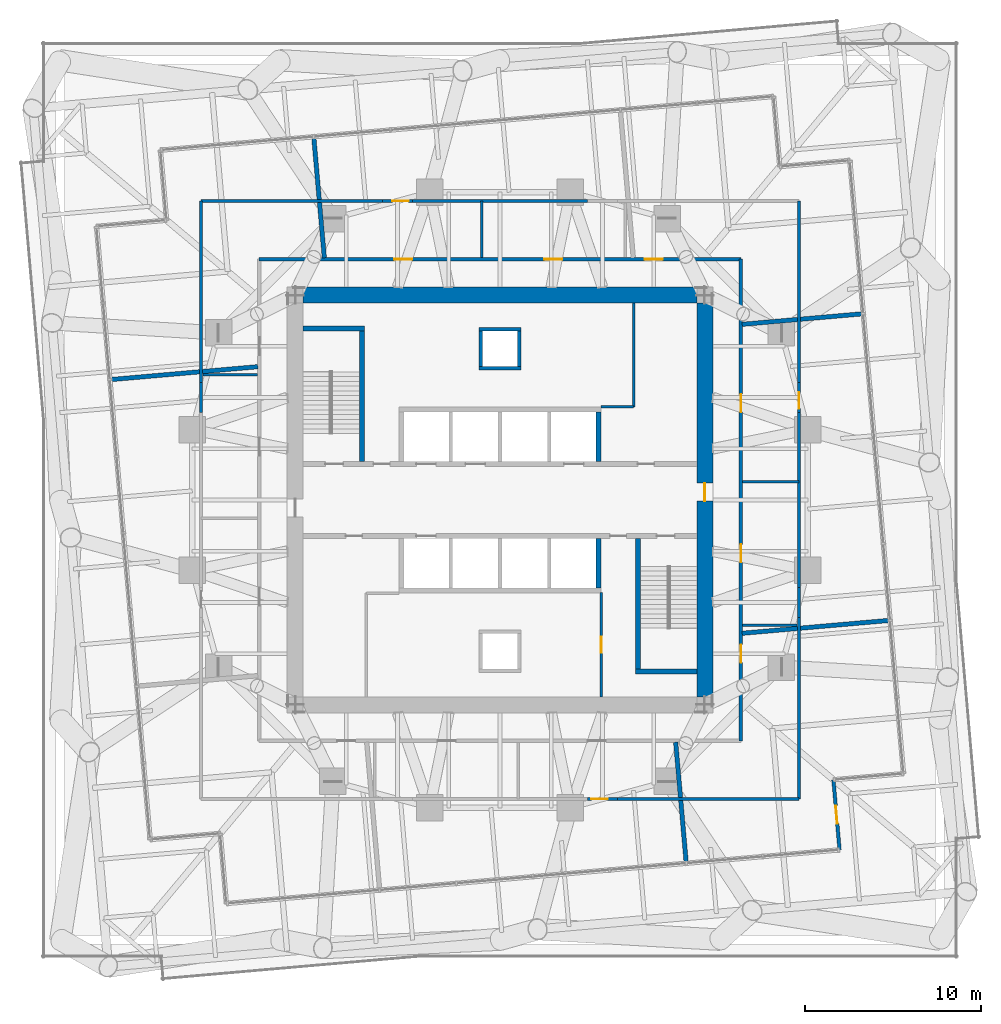
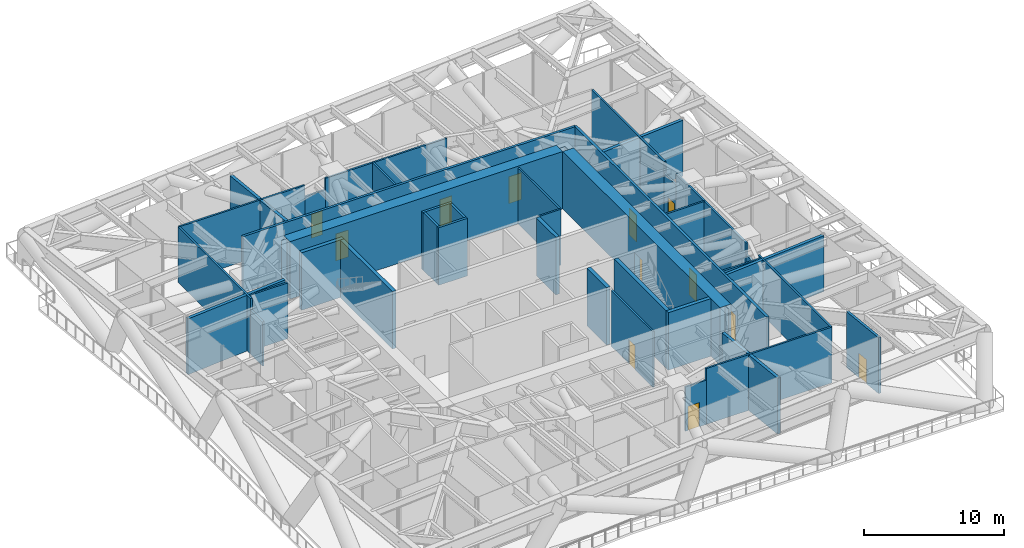
# One storey, part 10 of 14: 39 walls, 12 doors, 12 openings.
"""IFC4 building model written with IfcOpenShell, lengths in metres."""

from ifc_helpers import new_model, si_unit, direction, frame, frame_2d, origin, place, context, subcontext, project, spatial, polyline, rectangle, outline, extrude, material, layer, layer_set, type_object, element, fill, save


model = new_model("IFC4")

# Units and contexts
model_context = context("Model", 3, precision=1e-05, world=origin(), true_north=direction((0.0, 1.0)))
body_context = subcontext(model_context, "Body", "Model", "MODEL_VIEW")
ifc_project = project(units=[si_unit("LENGTHUNIT", "METRE"), si_unit("AREAUNIT", "SQUARE_METRE"), si_unit("VOLUMEUNIT", "CUBIC_METRE"), si_unit("PLANEANGLEUNIT", "RADIAN"), si_unit("MASSUNIT", "GRAM", prefix="KILO")], contexts=[model_context])

# Site, building, storey
site_placement = place(None, origin())
site = spatial("IfcSite", under=ifc_project, at=site_placement, CompositionType="ELEMENT")
building_placement = place(site_placement, origin())
building = spatial("IfcBuilding", under=site, at=building_placement, Name="Torsade Residences", CompositionType="ELEMENT")
storey_placement = place(building_placement, frame((0.0, 0.0, 42.199951171875)))
storey = spatial("IfcBuildingStorey", under=building, at=storey_placement, Name="L11", CompositionType="ELEMENT", Elevation=42.199951171875)

# Walls
ifc_material_1 = material(Name="Concrete 80 MPa", Category="concrete")
ifc_layer_1 = layer(ifc_material_1, 0.300048828125)
ifc_layer_set_1 = layer_set([ifc_layer_1], Name="Concrete 80 MPa")
wall_type_1 = type_object("IfcWallType", Name="CORE INTERNAL WALL 300", PredefinedType="SHEAR", material=ifc_layer_set_1)
for number, where, z_axis, x_axis, name in (
    (1, (45.60009765625, 27.800048828125, 0.0), (0.0, 0.0, 1.0), (0.0, -1.0, 0.0), "Core wall DS0 L11"),
    (2, (45.60009765625, 32.199951171875, 0.0), (0.0, 0.0, 1.0), (0.0, 1.0, 0.0), "Core wall DN4 L11"),
):
    element("IfcWall", number, at=place(storey_placement, frame(where, z_axis=z_axis, x_axis=x_axis)), inside=storey, type_object=wall_type_1, Name=name, PredefinedType="SHEAR", context=body_context, shape_type="SweptSolid", body=[
        extrude(rectangle(XDim=2.800048828125, YDim=0.300048828125, at=frame_2d((1.39990234375, 0.0))), origin(), (0.0, 0.0, 1.0), 5.0),
    ])
wall_1_placement = place(storey_placement, frame((32.14990234375, 32.199951171875, 0.0), z_axis=(0.0, 0.0, 1.0), x_axis=(0.0, 1.0, 0.0)))
element("IfcWall", 3, at=wall_1_placement, inside=storey, type_object=wall_type_1, Name="Core wall ST1E L11", PredefinedType="SHEAR", context=body_context, shape_type="SweptSolid", body=[
    extrude(rectangle(XDim=7.699951171875, YDim=0.300048828125, at=frame_2d((3.85009765625, 0.0))), origin(), (0.0, 0.0, 1.0), 5.0),
])
wall_2_placement = place(storey_placement, frame((28.800048828125, 39.75, 0.0), z_axis=(0.0, 0.0, 1.0), x_axis=(1.0, 0.0, 0.0)))
element("IfcWall", 4, at=wall_2_placement, inside=storey, type_object=wall_type_1, Name="Core wall ST1N L11", PredefinedType="SHEAR", context=body_context, shape_type="SweptSolid", body=[
    extrude(rectangle(XDim=3.5, YDim=0.300048828125, at=frame_2d((1.75, 0.0))), origin(), (0.0, 0.0, 1.0), 5.0),
])
wall_3_placement = place(storey_placement, frame((47.85009765625, 27.800048828125, 0.0), z_axis=(0.0, 0.0, 1.0), x_axis=(0.0, -1.0, 0.0)))
element("IfcWall", 5, at=wall_3_placement, inside=storey, type_object=wall_type_1, Name="Core wall ST2W L11", PredefinedType="SHEAR", context=body_context, shape_type="SweptSolid", body=[
    extrude(rectangle(XDim=7.699951171875, YDim=0.300048828125, at=frame_2d((3.85009765625, 0.0))), origin(), (0.0, 0.0, 1.0), 5.0),
])
wall_4_placement = place(storey_placement, frame((51.199951171875, 20.25, 0.0), z_axis=(0.0, 0.0, 1.0), x_axis=(-1.0, 0.0, 0.0)))
element("IfcWall", 6, at=wall_4_placement, inside=storey, type_object=wall_type_1, Name="Core wall ST2S L11", PredefinedType="SHEAR", context=body_context, shape_type="SweptSolid", body=[
    extrude(rectangle(XDim=3.5, YDim=0.300048828125, at=frame_2d((1.75, 0.0))), origin(), (0.0, 0.0, 1.0), 5.0),
])
ifc_material_2 = material(Name="Concrete 80 MPa", Category="concrete")
ifc_layer_2 = layer(ifc_material_2, 0.89990234375)
ifc_layer_set_2 = layer_set([ifc_layer_2], Name="Concrete 80 MPa")
wall_type_2 = type_object("IfcWallType", Name="CORE WALL 900", PredefinedType="SHEAR", material=ifc_layer_set_2)
wall_5_placement = place(storey_placement, frame((28.800048828125, 41.64990234375, 0.0), z_axis=(0.0, 0.0, 1.0), x_axis=(1.0, 0.0, 0.0)))
element("IfcWall", 7, at=wall_5_placement, inside=storey, type_object=wall_type_2, Name="Core wall N L11", PredefinedType="SHEAR", context=body_context, shape_type="SweptSolid", body=[
    extrude(outline(polyline([(0.0, -0.449951171875), (22.39990234375, -0.449951171875), (22.39990234375, -0.02490234375), (22.849853515625, -0.02490234375), (22.849853515625, 0.02490234375), (22.39990234375, 0.02490234375), (22.39990234375, 0.449951171875), (0.0, 0.449951171875), (0.0, 0.02490234375), (-0.449951171875, 0.02490234375), (-0.449951171875, -0.02490234375), (0.0, -0.02490234375), (0.0, -0.449951171875)])), origin(), (0.0, 0.0, 1.0), 5.0),
])

# Wall, opening, door
wall_6_placement = place(storey_placement, frame((51.64990234375, 18.800048828125, 0.0), z_axis=(0.0, 0.0, 1.0), x_axis=(0.0, 1.0, 0.0)))
wall_6 = element("IfcWall", 8, at=wall_6_placement, inside=storey, type_object=wall_type_2, Name="Core wall E L11", PredefinedType="SHEAR", context=body_context, shape_type="SweptSolid", body=[
    extrude(outline(polyline([(0.0, -0.449951171875), (22.39990234375, -0.449951171875), (22.39990234375, -0.02490234375), (22.849853515625, -0.02490234375), (22.849853515625, 0.02490234375), (22.39990234375, 0.02490234375), (22.39990234375, 0.449951171875), (0.0, 0.449951171875), (0.0, 0.02490234375), (-0.449951171875, 0.02490234375), (-0.449951171875, -0.02490234375), (0.0, -0.02490234375), (0.0, -0.449951171875)])), origin(), (0.0, 0.0, 1.0), 5.0),
])
opening_1_placement = place(wall_6_placement, frame((11.139892578125, 0.0, 0.0)))
opening_1 = element("IfcOpeningElement", 9, at=opening_1_placement, cuts=wall_6, Name="Opening D04", PredefinedType="OPENING", context=body_context, shape_type="SweptSolid", body=[
    extrude(rectangle(XDim=1.02001953125, YDim=2.39990234375, at=frame_2d((0.510009765625, 1.199951171875))), frame((0.0, 0.4599609375, 0.0), z_axis=(0.0, -1.0, 0.0), x_axis=(1.0, 0.0, 0.0)), (0.0, 0.0, 1.0), 0.919921875),
])
ifc_material_3 = material(Name="Steel-framed fire door", Category="steel")
door_type_1 = type_object("IfcDoorType", Name="LOBBY SMOKE DOOR 1020x2400", OperationType="NOTDEFINED", PredefinedType="DOOR", material=ifc_material_3)
door_1_placement = place(opening_1_placement, origin())
door_1 = element("IfcDoor", 10, at=door_1_placement, inside=storey, type_object=door_type_1, Name="Lift lobby door E L11", OperationType="SINGLE_SWING_LEFT", OverallHeight=2.39990234375, OverallWidth=1.02001953125, PredefinedType="DOOR", context=body_context, shape_type="SweptSolid", body=[
    extrude(rectangle(XDim=1.02001953125, YDim=2.39990234375, at=frame_2d((0.510009765625, 1.199951171875))), frame((0.0, 0.02490234375, 0.0), z_axis=(0.0, -1.0, 0.0), x_axis=(1.0, 0.0, 0.0)), (0.0, 0.0, 1.0), 0.050048828125),
])
fill(opening_1, door_1)

# Wall, openings, doors
ifc_material_4 = material(Name="Plasterboard on steel stud", Category="steel")
ifc_layer_3 = layer(ifc_material_4, 0.199951171875)
ifc_layer_set_3 = layer_set([ifc_layer_3], Name="Plasterboard on steel stud")
wall_type_3 = type_object("IfcWallType", Name="CORRIDOR WALL 200", PredefinedType="PARTITIONING", material=ifc_layer_set_3)
wall_7_placement = place(storey_placement, frame((53.699951171875, 16.300048828125, 0.0), z_axis=(0.0, 0.0, 1.0), x_axis=(0.0, 1.0, 0.0)))
wall_7 = element("IfcWall", 11, at=wall_7_placement, inside=storey, type_object=wall_type_3, Name="Corridor wall L11", PredefinedType="PARTITIONING", context=body_context, shape_type="SweptSolid", body=[
    extrude(rectangle(XDim=27.39990234375, YDim=0.199951171875, at=frame_2d((13.699951171875, 0.0))), origin(), (0.0, 0.0, 1.0), 4.85009765625),
])
opening_2_placement = place(wall_7_placement, frame((18.69775390625, 0.0, 0.0)))
opening_2 = element("IfcOpeningElement", 12, at=opening_2_placement, cuts=wall_7, Name="Opening D01", PredefinedType="OPENING", context=body_context, shape_type="SweptSolid", body=[
    extrude(rectangle(XDim=1.02001953125, YDim=2.340087890625, at=frame_2d((0.510009765625, 1.169921875))), frame((0.0, 0.10986328125, 0.0), z_axis=(0.0, -1.0, 0.0), x_axis=(1.0, 0.0, 0.0)), (0.0, 0.0, 1.0), 0.219970703125),
])
opening_3_placement = place(wall_7_placement, frame((10.1533203125, 0.0, 0.0)))
opening_3 = element("IfcOpeningElement", 13, at=opening_3_placement, cuts=wall_7, Name="Opening D01", PredefinedType="OPENING", context=body_context, shape_type="SweptSolid", body=[
    extrude(rectangle(XDim=1.02001953125, YDim=2.340087890625, at=frame_2d((0.510009765625, 1.169921875))), frame((0.0, 0.10986328125, 0.0), z_axis=(0.0, -1.0, 0.0), x_axis=(1.0, 0.0, 0.0)), (0.0, 0.0, 1.0), 0.219970703125),
])
opening_4_placement = place(wall_7_placement, frame((4.457763671875, 0.0, 0.0)))
opening_4 = element("IfcOpeningElement", 14, at=opening_4_placement, cuts=wall_7, Name="Opening D01", PredefinedType="OPENING", context=body_context, shape_type="SweptSolid", body=[
    extrude(rectangle(XDim=1.02001953125, YDim=2.340087890625, at=frame_2d((0.510009765625, 1.169921875))), frame((0.0, 0.10986328125, 0.0), z_axis=(0.0, -1.0, 0.0), x_axis=(1.0, 0.0, 0.0)), (0.0, 0.0, 1.0), 0.219970703125),
])
ifc_material_5 = material(Name="Solid-core timber fire door", Category="wood")
door_type_2 = type_object("IfcDoorType", Name="APARTMENT ENTRY DOOR 1020x2340", OperationType="NOTDEFINED", PredefinedType="DOOR", material=ifc_material_5)
door_2_placement = place(opening_2_placement, origin())
door_2 = element("IfcDoor", 15, at=door_2_placement, inside=storey, type_object=door_type_2, Name="Door Plant corridor to Pump room", OperationType="SINGLE_SWING_LEFT", OverallHeight=2.340087890625, OverallWidth=1.02001953125, PredefinedType="DOOR", context=body_context, shape_type="SweptSolid", body=[
    extrude(rectangle(XDim=1.02001953125, YDim=2.340087890625, at=frame_2d((0.510009765625, 1.169921875))), frame((0.0, 0.02490234375, 0.0), z_axis=(0.0, -1.0, 0.0), x_axis=(1.0, 0.0, 0.0)), (0.0, 0.0, 1.0), 0.050048828125),
])
fill(opening_2, door_2)
door_3_placement = place(opening_3_placement, origin())
door_3 = element("IfcDoor", 16, at=door_3_placement, inside=storey, type_object=door_type_2, Name="Door Plant corridor to Plant cupboard", OperationType="SINGLE_SWING_LEFT", OverallHeight=2.340087890625, OverallWidth=1.02001953125, PredefinedType="DOOR", context=body_context, shape_type="SweptSolid", body=[
    extrude(rectangle(XDim=1.02001953125, YDim=2.340087890625, at=frame_2d((0.510009765625, 1.169921875))), frame((0.0, 0.02490234375, 0.0), z_axis=(0.0, -1.0, 0.0), x_axis=(1.0, 0.0, 0.0)), (0.0, 0.0, 1.0), 0.050048828125),
])
fill(opening_3, door_3)
door_4_placement = place(opening_4_placement, origin())
door_4 = element("IfcDoor", 17, at=door_4_placement, inside=storey, type_object=door_type_2, Name="Door Plant corridor to Service lobby", OperationType="SINGLE_SWING_RIGHT", OverallHeight=2.340087890625, OverallWidth=1.02001953125, PredefinedType="DOOR", context=body_context, shape_type="SweptSolid", body=[
    extrude(rectangle(XDim=1.02001953125, YDim=2.340087890625, at=frame_2d((0.510009765625, 1.169921875))), frame((0.0, 0.02490234375, 0.0), z_axis=(0.0, -1.0, 0.0), x_axis=(1.0, 0.0, 0.0)), (0.0, 0.0, 1.0), 0.050048828125),
])
fill(opening_4, door_4)

wall_8_placement = place(storey_placement, frame((53.699951171875, 43.699951171875, 0.0), z_axis=(0.0, 0.0, 1.0), x_axis=(-1.0, 0.0, 0.0)))
wall_8 = element("IfcWall", 18, at=wall_8_placement, inside=storey, type_object=wall_type_3, Name="Corridor wall L11", PredefinedType="PARTITIONING", context=body_context, shape_type="SweptSolid", body=[
    extrude(rectangle(XDim=27.39990234375, YDim=0.199951171875, at=frame_2d((13.699951171875, 0.0))), origin(), (0.0, 0.0, 1.0), 4.85009765625),
])
opening_5_placement = place(wall_8_placement, frame((18.69775390625, 0.0, 0.0)))
opening_5 = element("IfcOpeningElement", 19, at=opening_5_placement, cuts=wall_8, Name="Opening D01", PredefinedType="OPENING", context=body_context, shape_type="SweptSolid", body=[
    extrude(rectangle(XDim=1.02001953125, YDim=2.340087890625, at=frame_2d((0.510009765625, 1.169921875))), frame((0.0, 0.10986328125, 0.0), z_axis=(0.0, -1.0, 0.0), x_axis=(1.0, 0.0, 0.0)), (0.0, 0.0, 1.0), 0.219970703125),
])
opening_6_placement = place(wall_8_placement, frame((10.1533203125, 0.0, 0.0)))
opening_6 = element("IfcOpeningElement", 20, at=opening_6_placement, cuts=wall_8, Name="Opening D01", PredefinedType="OPENING", context=body_context, shape_type="SweptSolid", body=[
    extrude(rectangle(XDim=1.02001953125, YDim=2.340087890625, at=frame_2d((0.510009765625, 1.169921875))), frame((0.0, 0.10986328125, 0.0), z_axis=(0.0, -1.0, 0.0), x_axis=(1.0, 0.0, 0.0)), (0.0, 0.0, 1.0), 0.219970703125),
])
opening_7_placement = place(wall_8_placement, frame((4.457763671875, 0.0, 0.0)))
opening_7 = element("IfcOpeningElement", 21, at=opening_7_placement, cuts=wall_8, Name="Opening D01", PredefinedType="OPENING", context=body_context, shape_type="SweptSolid", body=[
    extrude(rectangle(XDim=1.02001953125, YDim=2.340087890625, at=frame_2d((0.510009765625, 1.169921875))), frame((0.0, 0.10986328125, 0.0), z_axis=(0.0, -1.0, 0.0), x_axis=(1.0, 0.0, 0.0)), (0.0, 0.0, 1.0), 0.219970703125),
])
door_5_placement = place(opening_5_placement, origin())
door_5 = element("IfcDoor", 22, at=door_5_placement, inside=storey, type_object=door_type_2, Name="Door Plant corridor to Pump room", OperationType="SINGLE_SWING_LEFT", OverallHeight=2.340087890625, OverallWidth=1.02001953125, PredefinedType="DOOR", context=body_context, shape_type="SweptSolid", body=[
    extrude(rectangle(XDim=1.02001953125, YDim=2.340087890625, at=frame_2d((0.510009765625, 1.169921875))), frame((0.0, 0.02490234375, 0.0), z_axis=(0.0, -1.0, 0.0), x_axis=(1.0, 0.0, 0.0)), (0.0, 0.0, 1.0), 0.050048828125),
])
fill(opening_5, door_5)
door_6_placement = place(opening_6_placement, origin())
door_6 = element("IfcDoor", 23, at=door_6_placement, inside=storey, type_object=door_type_2, Name="Door Plant corridor to Plant cupboard", OperationType="SINGLE_SWING_LEFT", OverallHeight=2.340087890625, OverallWidth=1.02001953125, PredefinedType="DOOR", context=body_context, shape_type="SweptSolid", body=[
    extrude(rectangle(XDim=1.02001953125, YDim=2.340087890625, at=frame_2d((0.510009765625, 1.169921875))), frame((0.0, 0.02490234375, 0.0), z_axis=(0.0, -1.0, 0.0), x_axis=(1.0, 0.0, 0.0)), (0.0, 0.0, 1.0), 0.050048828125),
])
fill(opening_6, door_6)
door_7_placement = place(opening_7_placement, origin())
door_7 = element("IfcDoor", 24, at=door_7_placement, inside=storey, type_object=door_type_2, Name="Door Plant corridor to Service lobby", OperationType="SINGLE_SWING_LEFT", OverallHeight=2.340087890625, OverallWidth=1.02001953125, PredefinedType="DOOR", context=body_context, shape_type="SweptSolid", body=[
    extrude(rectangle(XDim=1.02001953125, YDim=2.340087890625, at=frame_2d((0.510009765625, 1.169921875))), frame((0.0, 0.02490234375, 0.0), z_axis=(0.0, -1.0, 0.0), x_axis=(1.0, 0.0, 0.0)), (0.0, 0.0, 1.0), 0.050048828125),
])
fill(opening_7, door_7)

# Walls
ifc_material_6 = material(Name="Masonry-lined stud party wall", Category="masonry")
ifc_layer_4 = layer(ifc_material_6, 0.25)
ifc_layer_set_4 = layer_set([ifc_layer_4], Name="Masonry-lined stud party wall")
wall_type_4 = type_object("IfcWallType", Name="PARTY WALL 250", PredefinedType="PARTITIONING", material=ifc_layer_set_4)
wall_9_placement = place(storey_placement, frame((50.590576171875, 9.344482421875, 0.0), z_axis=(0.0, 0.0, 1.0), x_axis=(-0.087152488477, 0.996194982798, 0.0)))
element("IfcWall", 25, at=wall_9_placement, inside=storey, type_object=wall_type_4, Name="Party wall L11", PredefinedType="PARTITIONING", context=body_context, shape_type="SweptSolid", body=[
    extrude(rectangle(XDim=6.910888671875, YDim=0.25, at=frame_2d((3.45556640625, 0.0))), origin(), (0.0, 0.0, 1.0), 4.85009765625),
])
wall_10_placement = place(storey_placement, frame((62.180908203125, 23.1572265625, 0.0), z_axis=(0.0, 0.0, 1.0), x_axis=(-0.996194000005, -0.087163721544, 0.0)))
element("IfcWall", 26, at=wall_10_placement, inside=storey, type_object=wall_type_4, Name="Party wall L11", PredefinedType="PARTITIONING", context=body_context, shape_type="SweptSolid", body=[
    extrude(rectangle(XDim=8.442138671875, YDim=0.25, at=frame_2d((4.22119140625, 0.0))), origin(), (0.0, 0.0, 1.0), 4.85009765625),
])
for number, where, z_axis, x_axis, name in (
    (27, (60.655517578125, 40.590576171875, 0.0), (0.0, 0.0, 1.0), (-0.996194982798, -0.087152488477, 0.0), "Party wall L11"),
    (28, (29.409423828125, 50.655517578125, 0.0), (0.0, 0.0, 1.0), (0.087152488477, -0.996194982798, 0.0), "Party wall L11"),
):
    element("IfcWall", number, at=place(storey_placement, frame(where, z_axis=z_axis, x_axis=x_axis)), inside=storey, type_object=wall_type_4, Name=name, PredefinedType="PARTITIONING", context=body_context, shape_type="SweptSolid", body=[
        extrude(rectangle(XDim=6.910888671875, YDim=0.25, at=frame_2d((3.45556640625, 0.0))), origin(), (0.0, 0.0, 1.0), 4.85009765625),
    ])
wall_11_placement = place(storey_placement, frame((17.819091796875, 36.8427734375, 0.0), z_axis=(0.0, 0.0, 1.0), x_axis=(0.996194000005, 0.087163721544, 0.0)))
element("IfcWall", 29, at=wall_11_placement, inside=storey, type_object=wall_type_4, Name="Party wall L11", PredefinedType="PARTITIONING", context=body_context, shape_type="SweptSolid", body=[
    extrude(rectangle(XDim=8.442138671875, YDim=0.25, at=frame_2d((4.22119140625, 0.0))), origin(), (0.0, 0.0, 1.0), 4.85009765625),
])

# Wall, opening, door
ifc_material_7 = material(Name="Stone-faced precast concrete 40 MPa panel", Category="masonry")
ifc_layer_5 = layer(ifc_material_7, 0.199951171875)
ifc_layer_set_5 = layer_set([ifc_layer_5], Name="Stone-faced precast concrete 40 MPa panel")
wall_type_5 = type_object("IfcWallType", Name="PLANT ROOM EXTERNAL WALL 200", PredefinedType="SOLIDWALL", material=ifc_layer_set_5)
wall_12_placement = place(storey_placement, frame((59.307373046875, 10.10693359375, 0.0), z_axis=(0.0, 0.0, 1.0), x_axis=(-0.087156350505, 0.99619464492, 0.0)))
wall_12 = element("IfcWall", 30, at=wall_12_placement, inside=storey, type_object=wall_type_5, Name="Plant room wall L11 2", PredefinedType="SOLIDWALL", context=body_context, shape_type="SweptSolid", body=[
    extrude(rectangle(XDim=4.0, YDim=0.199951171875, at=frame_2d((2.0, 0.0))), origin(), (0.0, 0.0, 1.0), 4.85009765625),
])
opening_8_placement = place(wall_12_placement, frame((1.489990234375, 0.0, 0.0)))
opening_8 = element("IfcOpeningElement", 31, at=opening_8_placement, cuts=wall_12, Name="Opening D11", PredefinedType="OPENING", context=body_context, shape_type="SweptSolid", body=[
    extrude(rectangle(XDim=1.02001953125, YDim=2.10009765625, at=frame_2d((0.510009765625, 1.050048828125))), frame((0.0, 0.10986328125, 0.0), z_axis=(0.0, -1.0, 0.0), x_axis=(1.0, 0.0, 0.0)), (0.0, 0.0, 1.0), 0.219970703125),
])
ifc_material_8 = material(Name="Steel-framed external door", Category="steel")
door_type_3 = type_object("IfcDoorType", Name="MAINTENANCE ROOF DOOR 1020", OperationType="NOTDEFINED", PredefinedType="DOOR", material=ifc_material_8)
door_8_placement = place(opening_8_placement, origin())
door_8 = element("IfcDoor", 32, at=door_8_placement, inside=storey, type_object=door_type_3, Name="Maintenance roof door L11", OperationType="SINGLE_SWING_RIGHT", OverallHeight=2.10009765625, OverallWidth=1.02001953125, PredefinedType="DOOR", context=body_context, shape_type="SweptSolid", body=[
    extrude(rectangle(XDim=1.02001953125, YDim=2.10009765625, at=frame_2d((0.510009765625, 1.050048828125))), frame((0.0, 0.02490234375, 0.0), z_axis=(0.0, -1.0, 0.0), x_axis=(1.0, 0.0, 0.0)), (0.0, 0.0, 1.0), 0.050048828125),
])
fill(opening_8, door_8)

# Walls
ifc_material_9 = material(Name="Reinforced blockwork", Category="masonry")
ifc_layer_6 = layer(ifc_material_9, 0.199951171875)
ifc_layer_set_6 = layer_set([ifc_layer_6], Name="Reinforced blockwork")
wall_type_6 = type_object("IfcWallType", Name="RISER SHAFT WALL 200", PredefinedType="SOLIDWALL", material=ifc_layer_set_6)
for number, where, z_axis, x_axis, name in (
    (33, (38.89990234375, 37.60009765625, 0.0), (0.0, 0.0, 1.0), (0.0, 1.0, 0.0), "Core wall RS1a L11"),
    (34, (41.10009765625, 37.60009765625, 0.0), (0.0, 0.0, 1.0), (0.0, 1.0, 0.0), "Core wall RS1b L11"),
):
    element("IfcWall", number, at=place(storey_placement, frame(where, z_axis=z_axis, x_axis=x_axis)), inside=storey, type_object=wall_type_6, Name=name, PredefinedType="SOLIDWALL", context=body_context, shape_type="SweptSolid", body=[
        extrude(rectangle(XDim=2.0, YDim=0.199951171875, at=frame_2d((1.0, 0.0))), origin(), (0.0, 0.0, 1.0), 5.0),
    ])
for number, where, z_axis, x_axis, name in (
    (35, (38.800048828125, 37.5, 0.0), (0.0, 0.0, 1.0), (1.0, 0.0, 0.0), "Core wall RS1c L11"),
    (36, (38.800048828125, 39.699951171875, 0.0), (0.0, 0.0, 1.0), (1.0, 0.0, 0.0), "Core wall RS1d L11"),
):
    element("IfcWall", number, at=place(storey_placement, frame(where, z_axis=z_axis, x_axis=x_axis)), inside=storey, type_object=wall_type_6, Name=name, PredefinedType="SOLIDWALL", context=body_context, shape_type="SweptSolid", body=[
        extrude(rectangle(XDim=2.39990234375, YDim=0.199951171875, at=frame_2d((1.199951171875, 0.0))), origin(), (0.0, 0.0, 1.0), 5.0),
    ])
ifc_material_10 = material(Name="Reinforced blockwork", Category="masonry")
ifc_layer_7 = layer(ifc_material_10, 0.14990234375)
ifc_layer_set_7 = layer_set([ifc_layer_7], Name="Reinforced blockwork")
wall_type_7 = type_object("IfcWallType", Name="SERVICE ROOM WALL 150", PredefinedType="SOLIDWALL", material=ifc_layer_set_7)
wall_13_placement = place(storey_placement, frame((47.60009765625, 41.199951171875, 0.0), z_axis=(0.0, 0.0, 1.0), x_axis=(0.0, -1.0, 0.0)))
element("IfcWall", 37, at=wall_13_placement, inside=storey, type_object=wall_type_7, Name="Service room wall L11", PredefinedType="SOLIDWALL", context=body_context, shape_type="SweptSolid", body=[
    extrude(rectangle(XDim=5.89990234375, YDim=0.14990234375, at=frame_2d((2.949951171875, 0.0))), origin(), (0.0, 0.0, 1.0), 4.85009765625),
])
wall_14_placement = place(storey_placement, frame((47.60009765625, 35.300048828125, 0.0), z_axis=(0.0, 0.0, 1.0), x_axis=(-1.0, 0.0, 0.0)))
element("IfcWall", 38, at=wall_14_placement, inside=storey, type_object=wall_type_7, Name="Service room wall L11", PredefinedType="SOLIDWALL", context=body_context, shape_type="SweptSolid", body=[
    extrude(rectangle(XDim=1.85009765625, YDim=0.14990234375, at=frame_2d((0.925048828125, 0.0))), origin(), (0.0, 0.0, 1.0), 4.85009765625),
])

# Wall, opening, door
wall_15_placement = place(storey_placement, frame((45.75, 18.800048828125, 0.0), z_axis=(0.0, 0.0, 1.0), x_axis=(0.0, 1.0, 0.0)))
wall_15 = element("IfcWall", 39, at=wall_15_placement, inside=storey, type_object=wall_type_7, Name="Service room wall L11", PredefinedType="SOLIDWALL", context=body_context, shape_type="SweptSolid", body=[
    extrude(rectangle(XDim=5.949951171875, YDim=0.14990234375, at=frame_2d((2.97509765625, 0.0))), origin(), (0.0, 0.0, 1.0), 4.85009765625),
])
opening_9_placement = place(wall_15_placement, frame((2.514892578125, 0.0, 0.0)))
opening_9 = element("IfcOpeningElement", 40, at=opening_9_placement, cuts=wall_15, Name="Opening D06", PredefinedType="OPENING", context=body_context, shape_type="SweptSolid", body=[
    extrude(rectangle(XDim=0.919921875, YDim=2.10009765625, at=frame_2d((0.4599609375, 1.050048828125))), frame((0.0, 0.0849609375, 0.0), z_axis=(0.0, -1.0, 0.0), x_axis=(1.0, 0.0, 0.0)), (0.0, 0.0, 1.0), 0.169921875),
])
ifc_material_11 = material(Name="Steel-framed fire door", Category="steel")
door_type_4 = type_object("IfcDoorType", Name="FIRE DOOR 920", OperationType="NOTDEFINED", PredefinedType="DOOR", material=ifc_material_11)
door_9_placement = place(opening_9_placement, origin())
door_9 = element("IfcDoor", 41, at=door_9_placement, inside=storey, type_object=door_type_4, Name="Door Security and data store to Communications riser room", OperationType="SINGLE_SWING_LEFT", OverallHeight=2.10009765625, OverallWidth=0.919921875, PredefinedType="DOOR", context=body_context, shape_type="SweptSolid", body=[
    extrude(rectangle(XDim=0.919921875, YDim=2.10009765625, at=frame_2d((0.4599609375, 1.050048828125))), frame((0.0, 0.02490234375, 0.0), z_axis=(0.0, -1.0, 0.0), x_axis=(1.0, 0.0, 0.0)), (0.0, 0.0, 1.0), 0.050048828125),
])
fill(opening_9, door_9)

# Wall
wall_16_placement = place(storey_placement, frame((57.0, 13.0, 0.0), z_axis=(0.0, 0.0, 1.0), x_axis=(-1.0, 0.0, 0.0)))
element("IfcWall", 42, at=wall_16_placement, inside=storey, type_object=wall_type_7, Name="Service room wall L11", PredefinedType="SOLIDWALL", context=body_context, shape_type="SweptSolid", body=[
    extrude(rectangle(XDim=10.321533203125, YDim=0.14990234375, at=frame_2d((5.16064453125, 0.0))), origin(), (0.0, 0.0, 1.0), 4.85009765625),
])

# Wall, opening, door
wall_17_placement = place(storey_placement, frame((46.678466796875, 13.0, 0.0), z_axis=(0.0, 0.0, 1.0), x_axis=(-1.0, 0.0, 0.0)))
wall_17 = element("IfcWall", 43, at=wall_17_placement, inside=storey, type_object=wall_type_7, Name="Service room wall L11", PredefinedType="SOLIDWALL", context=body_context, shape_type="SweptSolid", body=[
    extrude(rectangle(XDim=1.690185546875, YDim=0.14990234375, at=frame_2d((0.84521484375, 0.0))), origin(), (0.0, 0.0, 1.0), 3.85009765625),
])
opening_10_placement = place(wall_17_placement, frame((0.5625, 0.0, 0.0)))
opening_10 = element("IfcOpeningElement", 44, at=opening_10_placement, cuts=wall_17, Name="Opening D06", PredefinedType="OPENING", context=body_context, shape_type="SweptSolid", body=[
    extrude(rectangle(XDim=0.919921875, YDim=2.10009765625, at=frame_2d((0.4599609375, 1.050048828125))), frame((0.0, 0.0849609375, 0.0), z_axis=(0.0, -1.0, 0.0), x_axis=(1.0, 0.0, 0.0)), (0.0, 0.0, 1.0), 0.169921875),
])
door_10_placement = place(opening_10_placement, origin())
door_10 = element("IfcDoor", 45, at=door_10_placement, inside=storey, type_object=door_type_4, Name="Door Pump room to Hot water plant room", OperationType="SINGLE_SWING_RIGHT", OverallHeight=2.10009765625, OverallWidth=0.919921875, PredefinedType="DOOR", context=body_context, shape_type="SweptSolid", body=[
    extrude(rectangle(XDim=0.919921875, YDim=2.10009765625, at=frame_2d((0.4599609375, 1.050048828125))), frame((0.0, 0.02490234375, 0.0), z_axis=(0.0, -1.0, 0.0), x_axis=(1.0, 0.0, 0.0)), (0.0, 0.0, 1.0), 0.050048828125),
])
fill(opening_10, door_10)

# Walls
wall_18_placement = place(storey_placement, frame((23.0, 34.98828125, 0.0), z_axis=(0.0, 0.0, 1.0), x_axis=(0.0, 1.0, 0.0)))
element("IfcWall", 46, at=wall_18_placement, inside=storey, type_object=wall_type_7, Name="Service room wall L11", PredefinedType="SOLIDWALL", context=body_context, shape_type="SweptSolid", body=[
    extrude(rectangle(XDim=1.690185546875, YDim=0.14990234375, at=frame_2d((0.84521484375, 0.0))), origin(), (0.0, 0.0, 1.0), 3.85009765625),
])
wall_19_placement = place(storey_placement, frame((23.0, 36.678466796875, 0.0), z_axis=(0.0, 0.0, 1.0), x_axis=(0.0, 1.0, 0.0)))
element("IfcWall", 47, at=wall_19_placement, inside=storey, type_object=wall_type_7, Name="Service room wall L11", PredefinedType="SOLIDWALL", context=body_context, shape_type="SweptSolid", body=[
    extrude(rectangle(XDim=10.321533203125, YDim=0.14990234375, at=frame_2d((5.16064453125, 0.0))), origin(), (0.0, 0.0, 1.0), 4.85009765625),
])
wall_20_placement = place(storey_placement, frame((53.800048828125, 22.885498046875, 0.0), z_axis=(0.0, 0.0, 1.0), x_axis=(1.0, 0.0, 0.0)))
element("IfcWall", 48, at=wall_20_placement, inside=storey, type_object=wall_type_7, Name="Service room wall L11", PredefinedType="SOLIDWALL", context=body_context, shape_type="SweptSolid", body=[
    extrude(rectangle(XDim=3.095947265625, YDim=0.14990234375, at=frame_2d((1.5478515625, 0.0))), origin(), (0.0, 0.0, 1.0), 4.85009765625),
])
wall_21_placement = place(storey_placement, frame((57.0, 47.0, 0.0), z_axis=(0.0, 0.0, 1.0), x_axis=(0.0, -1.0, 0.0)))
element("IfcWall", 49, at=wall_21_placement, inside=storey, type_object=wall_type_7, Name="Service room wall L11", PredefinedType="SOLIDWALL", context=body_context, shape_type="SweptSolid", body=[
    extrude(rectangle(XDim=10.321533203125, YDim=0.14990234375, at=frame_2d((5.16064453125, 0.0))), origin(), (0.0, 0.0, 1.0), 4.85009765625),
])

# Wall, opening, door
wall_22_placement = place(storey_placement, frame((57.0, 36.678466796875, 0.0), z_axis=(0.0, 0.0, 1.0), x_axis=(0.0, -1.0, 0.0)))
wall_22 = element("IfcWall", 50, at=wall_22_placement, inside=storey, type_object=wall_type_7, Name="Service room wall L11", PredefinedType="SOLIDWALL", context=body_context, shape_type="SweptSolid", body=[
    extrude(rectangle(XDim=1.690185546875, YDim=0.14990234375, at=frame_2d((0.84521484375, 0.0))), origin(), (0.0, 0.0, 1.0), 3.85009765625),
])
opening_11_placement = place(wall_22_placement, frame((0.5625, 0.0, 0.0)))
opening_11 = element("IfcOpeningElement", 51, at=opening_11_placement, cuts=wall_22, Name="Opening D06", PredefinedType="OPENING", context=body_context, shape_type="SweptSolid", body=[
    extrude(rectangle(XDim=0.919921875, YDim=2.10009765625, at=frame_2d((0.4599609375, 1.050048828125))), frame((0.0, 0.0849609375, 0.0), z_axis=(0.0, -1.0, 0.0), x_axis=(1.0, 0.0, 0.0)), (0.0, 0.0, 1.0), 0.169921875),
])
door_11_placement = place(opening_11_placement, origin())
door_11 = element("IfcDoor", 52, at=door_11_placement, inside=storey, type_object=door_type_4, Name="Door Pump room to Mechanical plant room", OperationType="SINGLE_SWING_RIGHT", OverallHeight=2.10009765625, OverallWidth=0.919921875, PredefinedType="DOOR", context=body_context, shape_type="SweptSolid", body=[
    extrude(rectangle(XDim=0.919921875, YDim=2.10009765625, at=frame_2d((0.4599609375, 1.050048828125))), frame((0.0, 0.02490234375, 0.0), z_axis=(0.0, -1.0, 0.0), x_axis=(1.0, 0.0, 0.0)), (0.0, 0.0, 1.0), 0.050048828125),
])
fill(opening_11, door_11)

# Walls
wall_23_placement = place(storey_placement, frame((57.0, 34.98828125, 0.0), z_axis=(0.0, 0.0, 1.0), x_axis=(0.0, -1.0, 0.0)))
element("IfcWall", 53, at=wall_23_placement, inside=storey, type_object=wall_type_7, Name="Service room wall L11", PredefinedType="SOLIDWALL", context=body_context, shape_type="SweptSolid", body=[
    extrude(rectangle(XDim=9.9765625, YDim=0.14990234375, at=frame_2d((4.98828125, 0.0))), origin(), (0.0, 0.0, 1.0), 4.85009765625),
])
wall_24_placement = place(storey_placement, frame((57.0, 25.01171875, 0.0), z_axis=(0.0, 0.0, 1.0), x_axis=(0.0, -1.0, 0.0)))
element("IfcWall", 54, at=wall_24_placement, inside=storey, type_object=wall_type_7, Name="Service room wall L11", PredefinedType="SOLIDWALL", context=body_context, shape_type="SweptSolid", body=[
    extrude(rectangle(XDim=1.690185546875, YDim=0.14990234375, at=frame_2d((0.84521484375, 0.0))), origin(), (0.0, 0.0, 1.0), 3.85009765625),
])
wall_25_placement = place(storey_placement, frame((57.0, 23.321533203125, 0.0), z_axis=(0.0, 0.0, 1.0), x_axis=(0.0, -1.0, 0.0)))
element("IfcWall", 55, at=wall_25_placement, inside=storey, type_object=wall_type_7, Name="Service room wall L11", PredefinedType="SOLIDWALL", context=body_context, shape_type="SweptSolid", body=[
    extrude(rectangle(XDim=10.321533203125, YDim=0.14990234375, at=frame_2d((5.16064453125, 0.0))), origin(), (0.0, 0.0, 1.0), 4.85009765625),
])
wall_26_placement = place(storey_placement, frame((57.0, 31.041259765625, 0.0), z_axis=(0.0, 0.0, 1.0), x_axis=(-1.0, 0.0, 0.0)))
element("IfcWall", 56, at=wall_26_placement, inside=storey, type_object=wall_type_7, Name="Service room wall L11", PredefinedType="SOLIDWALL", context=body_context, shape_type="SweptSolid", body=[
    extrude(rectangle(XDim=3.199951171875, YDim=0.14990234375, at=frame_2d((1.60009765625, 0.0))), origin(), (0.0, 0.0, 1.0), 4.85009765625),
])
wall_27_placement = place(storey_placement, frame((23.0, 47.0, 0.0), z_axis=(0.0, 0.0, 1.0), x_axis=(1.0, 0.0, 0.0)))
element("IfcWall", 57, at=wall_27_placement, inside=storey, type_object=wall_type_7, Name="Service room wall L11", PredefinedType="SOLIDWALL", context=body_context, shape_type="SweptSolid", body=[
    extrude(rectangle(XDim=10.321533203125, YDim=0.14990234375, at=frame_2d((5.16064453125, 0.0))), origin(), (0.0, 0.0, 1.0), 4.85009765625),
])

# Wall, opening, door
wall_28_placement = place(storey_placement, frame((33.321533203125, 47.0, 0.0), z_axis=(0.0, 0.0, 1.0), x_axis=(1.0, 0.0, 0.0)))
wall_28 = element("IfcWall", 58, at=wall_28_placement, inside=storey, type_object=wall_type_7, Name="Service room wall L11", PredefinedType="SOLIDWALL", context=body_context, shape_type="SweptSolid", body=[
    extrude(rectangle(XDim=1.690185546875, YDim=0.14990234375, at=frame_2d((0.84521484375, 0.0))), origin(), (0.0, 0.0, 1.0), 3.85009765625),
])
opening_12_placement = place(wall_28_placement, frame((0.5625, 0.0, 0.0)))
opening_12 = element("IfcOpeningElement", 59, at=opening_12_placement, cuts=wall_28, Name="Opening D06", PredefinedType="OPENING", context=body_context, shape_type="SweptSolid", body=[
    extrude(rectangle(XDim=0.919921875, YDim=2.10009765625, at=frame_2d((0.4599609375, 1.050048828125))), frame((0.0, 0.0849609375, 0.0), z_axis=(0.0, -1.0, 0.0), x_axis=(1.0, 0.0, 0.0)), (0.0, 0.0, 1.0), 0.169921875),
])
door_12_placement = place(opening_12_placement, origin())
door_12 = element("IfcDoor", 60, at=door_12_placement, inside=storey, type_object=door_type_4, Name="Door Pump room to Water tank room", OperationType="SINGLE_SWING_RIGHT", OverallHeight=2.10009765625, OverallWidth=0.919921875, PredefinedType="DOOR", context=body_context, shape_type="SweptSolid", body=[
    extrude(rectangle(XDim=0.919921875, YDim=2.10009765625, at=frame_2d((0.4599609375, 1.050048828125))), frame((0.0, 0.02490234375, 0.0), z_axis=(0.0, -1.0, 0.0), x_axis=(1.0, 0.0, 0.0)), (0.0, 0.0, 1.0), 0.050048828125),
])
fill(opening_12, door_12)

# Walls
wall_29_placement = place(storey_placement, frame((35.01171875, 47.0, 0.0), z_axis=(0.0, 0.0, 1.0), x_axis=(1.0, 0.0, 0.0)))
element("IfcWall", 61, at=wall_29_placement, inside=storey, type_object=wall_type_7, Name="Service room wall L11", PredefinedType="SOLIDWALL", context=body_context, shape_type="SweptSolid", body=[
    extrude(rectangle(XDim=9.9765625, YDim=0.14990234375, at=frame_2d((4.98828125, 0.0))), origin(), (0.0, 0.0, 1.0), 4.85009765625),
])
wall_30_placement = place(storey_placement, frame((38.958740234375, 47.0, 0.0), z_axis=(0.0, 0.0, 1.0), x_axis=(0.0, -1.0, 0.0)))
element("IfcWall", 62, at=wall_30_placement, inside=storey, type_object=wall_type_7, Name="Service room wall L11", PredefinedType="SOLIDWALL", context=body_context, shape_type="SweptSolid", body=[
    extrude(rectangle(XDim=3.199951171875, YDim=0.14990234375, at=frame_2d((1.60009765625, 0.0))), origin(), (0.0, 0.0, 1.0), 4.85009765625),
])
wall_31_placement = place(storey_placement, frame((26.199951171875, 37.114501953125, 0.0), z_axis=(0.0, 0.0, 1.0), x_axis=(-1.0, 0.0, 0.0)))
element("IfcWall", 63, at=wall_31_placement, inside=storey, type_object=wall_type_7, Name="Service room wall L11", PredefinedType="SOLIDWALL", context=body_context, shape_type="SweptSolid", body=[
    extrude(rectangle(XDim=3.095947265625, YDim=0.14990234375, at=frame_2d((1.5478515625, 0.0))), origin(), (0.0, 0.0, 1.0), 4.85009765625),
])

save(model, "model.ifc")
